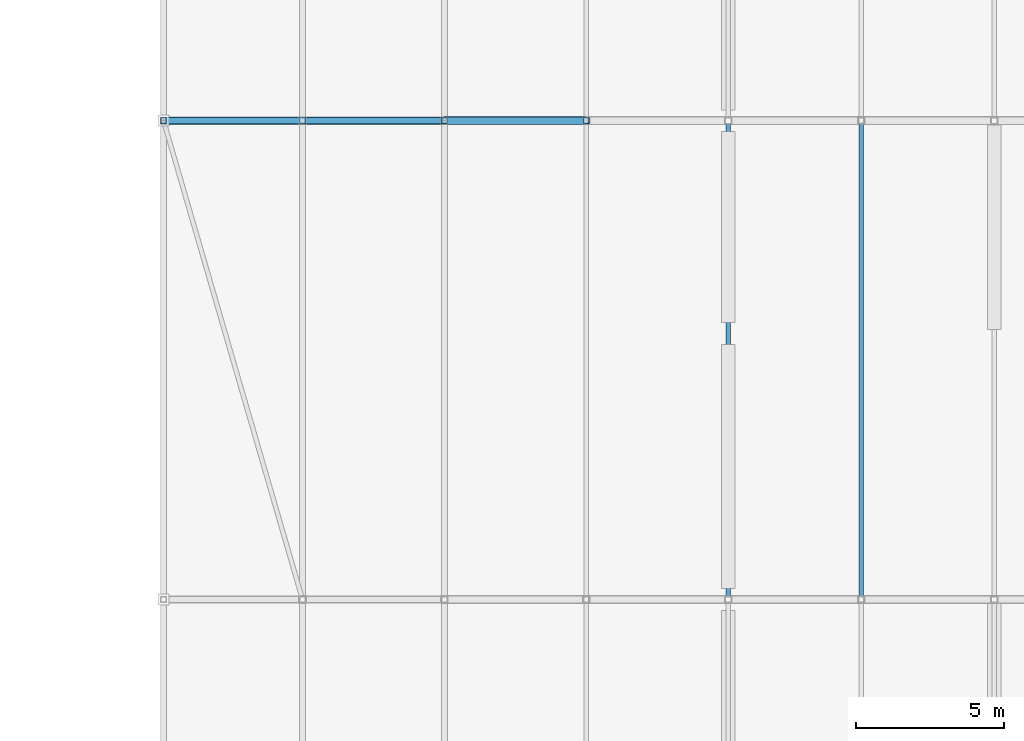
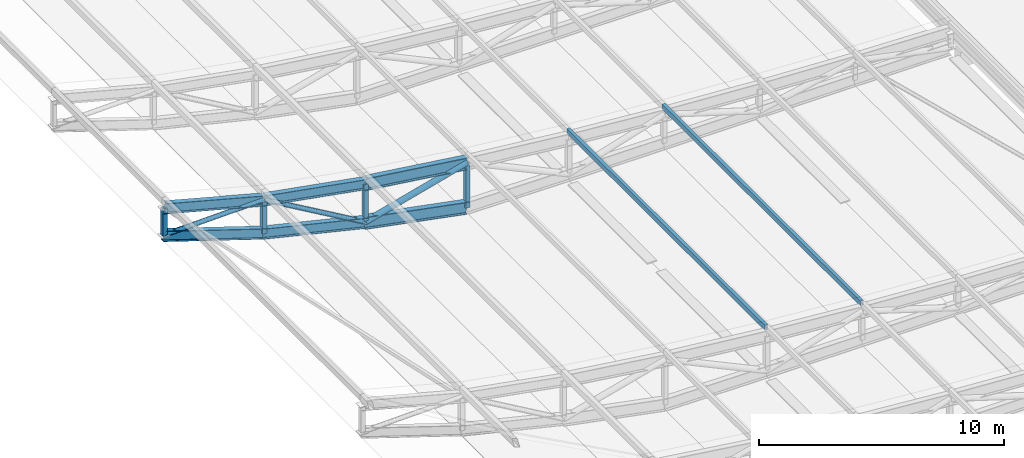
# One storey, part 54 of 114: 9 members, 6 beams.
"""IFC4 building model written with IfcOpenShell, lengths in metres."""

from ifc_helpers import new_model, si_unit, direction, frame, origin, origin_2d, place, context, subcontext, project, spatial, hollow_rectangle, hollow_circle, i_section, extrude, material, material_profile, profile_set, type_object, element, save


model = new_model("IFC4")

# Units and contexts
model_context = context("Model", 3, precision=1e-05, world=origin(), true_north=direction((0.0, 1.0)))
body_context = subcontext(model_context, "Body", "Model", "MODEL_VIEW")
ifc_project = project(units=[si_unit("LENGTHUNIT", "METRE"), si_unit("AREAUNIT", "SQUARE_METRE"), si_unit("VOLUMEUNIT", "CUBIC_METRE"), si_unit("PLANEANGLEUNIT", "RADIAN"), si_unit("MASSUNIT", "GRAM", prefix="KILO"), si_unit("THERMODYNAMICTEMPERATUREUNIT", "KELVIN"), si_unit("POWERUNIT", "WATT")], contexts=[model_context])

# Site, building, storey
site_placement = place(None, origin())
site = spatial("IfcSite", under=ifc_project, at=site_placement, CompositionType="ELEMENT")
building_placement = place(site_placement, origin())
building = spatial("IfcBuilding", under=site, at=building_placement, Name="Sindhuravela Promenade Stadium", CompositionType="ELEMENT")
storey_placement = place(building_placement, frame((0.0, 0.0, 24.0)))
storey = spatial("IfcBuildingStorey", under=building, at=storey_placement, Name="L05", CompositionType="ELEMENT", Elevation=24.0)

# Beams
ifc_material = material(Name="Steel E350 (IS 2062 E350BR)", Category="steel")
ifc_material_profile_1 = material_profile(ifc_material, i_section(OverallWidth=0.25, OverallDepth=0.5, WebThickness=0.010009765625, FlangeThickness=0.0146484375, FilletRadius=0.014892578125, at=origin_2d()), Name="ISWB 500")
ifc_profile_set_1 = profile_set([ifc_material_profile_1], Name="Steel E350 (IS 2062 E350BR)")
beam_type_1 = type_object("IfcBeamType", Name="ST-BM-WB500", PredefinedType="USERDEFINED", material=ifc_profile_set_1)
beam_1_placement = place(storey_placement, frame((170.39990234375, 84.60009765625, 2.889892578125), z_axis=(-0.9842948598662152, 0.0, 0.17653223173388988), x_axis=(0.0, -1.0, 0.0)))
element("IfcBeam", 1, at=beam_1_placement, inside=storey, type_object=beam_type_1, Name="Roof truss RT-E05 top chord 7", ObjectType="ROOF TRUSS", PredefinedType="USERDEFINED", context=body_context, shape_type="SweptSolid", body=[
    extrude(i_section(OverallWidth=0.25, OverallDepth=0.5, WebThickness=0.010009765625, FlangeThickness=0.0146484375, FilletRadius=0.014892578125, at=origin_2d()), origin(), (0.0, 0.0, 1.0), 4.87646484375),
])
beam_2_placement = place(storey_placement, frame((170.39990234375, 84.60009765625, 0.955322265625), z_axis=(-0.9727610703429832, 0.0, 0.23181005160513105), x_axis=(0.0, -1.0, 0.0)))
element("IfcBeam", 2, at=beam_2_placement, inside=storey, type_object=beam_type_1, Name="Roof truss RT-E05 bottom chord 7", ObjectType="ROOF TRUSS", PredefinedType="USERDEFINED", context=body_context, shape_type="SweptSolid", body=[
    extrude(i_section(OverallWidth=0.25, OverallDepth=0.5, WebThickness=0.010009765625, FlangeThickness=0.0146484375, FilletRadius=0.014892578125, at=origin_2d()), origin(), (0.0, 0.0, 1.0), 4.934326171875),
])
beam_3_placement = place(storey_placement, frame((165.60009765625, 84.60009765625, 3.750732421875), z_axis=(-0.9664454134987205, 0.0, 0.2568720746349965), x_axis=(0.0, -1.0, 0.0)))
element("IfcBeam", 3, at=beam_3_placement, inside=storey, type_object=beam_type_1, Name="Roof truss RT-E05 top chord 8", ObjectType="ROOF TRUSS", PredefinedType="USERDEFINED", context=body_context, shape_type="SweptSolid", body=[
    extrude(i_section(OverallWidth=0.25, OverallDepth=0.5, WebThickness=0.010009765625, FlangeThickness=0.0146484375, FilletRadius=0.014892578125, at=origin_2d()), origin(), (0.0, 0.0, 1.0), 4.86328125),
])
beam_4_placement = place(storey_placement, frame((165.60009765625, 84.60009765625, 2.09912109375), z_axis=(-0.951134224020653, 0.0, 0.3087777321903741), x_axis=(0.0, -1.0, 0.0)))
element("IfcBeam", 4, at=beam_4_placement, inside=storey, type_object=beam_type_1, Name="Roof truss RT-E05 bottom chord 8", ObjectType="ROOF TRUSS", PredefinedType="USERDEFINED", context=body_context, shape_type="SweptSolid", body=[
    extrude(i_section(OverallWidth=0.25, OverallDepth=0.5, WebThickness=0.010009765625, FlangeThickness=0.0146484375, FilletRadius=0.014892578125, at=origin_2d()), origin(), (0.0, 0.0, 1.0), 4.941650390625),
])
ifc_material_profile_2 = material_profile(ifc_material, i_section(OverallWidth=0.25, OverallDepth=0.60009765625, WebThickness=0.01171875, FlangeThickness=0.023681640625, FilletRadius=0.01708984375, at=origin_2d()), Name="ISWB 600")
ifc_profile_set_2 = profile_set([ifc_material_profile_2], Name="Steel E350 (IS 2062 E350BR)")
beam_type_2 = type_object("IfcBeamType", Name="ST-BM-WB600", PredefinedType="USERDEFINED", material=ifc_profile_set_2)
beam_5_placement = place(storey_placement, frame((175.199951171875, 84.60009765625, 2.24951171875), z_axis=(-0.9912177706556925, 0.0, 0.1322396730802035), x_axis=(0.0, -1.0, 0.0)))
element("IfcBeam", 5, at=beam_5_placement, inside=storey, type_object=beam_type_2, Name="Roof truss RT-E05 top chord 6", ObjectType="ROOF TRUSS", PredefinedType="USERDEFINED", context=body_context, shape_type="SweptSolid", body=[
    extrude(i_section(OverallWidth=0.25, OverallDepth=0.60009765625, WebThickness=0.01171875, FlangeThickness=0.023681640625, FilletRadius=0.01708984375, at=origin_2d()), origin(), (0.0, 0.0, 1.0), 4.842529296875),
])
beam_6_placement = place(storey_placement, frame((175.199951171875, 84.60009765625, 0.031982421875), z_axis=(-0.9819968269215247, 0.0, 0.18889741108881575), x_axis=(0.0, -1.0, 0.0)))
element("IfcBeam", 6, at=beam_6_placement, inside=storey, type_object=beam_type_2, Name="Roof truss RT-E05 bottom chord 6", ObjectType="ROOF TRUSS", PredefinedType="USERDEFINED", context=body_context, shape_type="SweptSolid", body=[
    extrude(i_section(OverallWidth=0.25, OverallDepth=0.60009765625, WebThickness=0.01171875, FlangeThickness=0.023681640625, FilletRadius=0.01708984375, at=origin_2d()), origin(), (0.0, 0.0, 1.0), 4.887939453125),
])

# Members
ifc_material_profile_3 = material_profile(ifc_material, hollow_circle(Radius=0.109619140625, WallThickness=0.010009765625, at=origin_2d()), Name="CHS 219.1x10")
ifc_profile_set_3 = profile_set([ifc_material_profile_3], Name="Steel E350 (IS 2062 E350BR)")
member_type_1 = type_object("IfcMemberType", Name="ST-MB-CHS219", PredefinedType="BRACE", material=ifc_profile_set_3)
member_1_placement = place(storey_placement, frame((170.39990234375, 84.60009765625, 0.955322265625), z_axis=(-0.8641294101630913, 0.0, 0.5032696717379143), x_axis=(0.0, -1.0, 0.0)))
element("IfcMember", 7, at=member_1_placement, inside=storey, type_object=member_type_1, Name="Roof truss RT-E05 diagonal web 7", PredefinedType="BRACE", context=body_context, shape_type="SweptSolid", body=[
    extrude(hollow_circle(Radius=0.109619140625, WallThickness=0.010009765625, at=origin_2d()), origin(), (0.0, 0.0, 1.0), 5.554443359375),
])
member_2_placement = place(storey_placement, frame((165.60009765625, 84.60009765625, 3.750732421875), z_axis=(-0.9996423981548164, 0.0, -0.02674090146736601), x_axis=(0.0, -1.0, 0.0)))
element("IfcMember", 8, at=member_2_placement, inside=storey, type_object=member_type_1, Name="Roof truss RT-E05 diagonal web 8", PredefinedType="BRACE", context=body_context, shape_type="SweptSolid", body=[
    extrude(hollow_circle(Radius=0.109619140625, WallThickness=0.010009765625, at=origin_2d()), origin(), (0.0, 0.0, 1.0), 4.701904296875),
])
ifc_material_profile_4 = material_profile(ifc_material, hollow_circle(Radius=0.136474609375, WallThickness=0.010009765625, at=origin_2d()), Name="CHS 273.0x10")
ifc_profile_set_4 = profile_set([ifc_material_profile_4], Name="Steel E350 (IS 2062 E350BR)")
member_type_2 = type_object("IfcMemberType", Name="ST-MB-CHS273", PredefinedType="BRACE", material=ifc_profile_set_4)
member_3_placement = place(storey_placement, frame((175.199951171875, 84.60009765625, 2.24951171875), z_axis=(-0.9655213389510635, 0.0, -0.26032392135596294), x_axis=(0.0, -1.0, 0.0)))
element("IfcMember", 9, at=member_3_placement, inside=storey, type_object=member_type_2, Name="Roof truss RT-E05 diagonal web 6", PredefinedType="BRACE", context=body_context, shape_type="SweptSolid", body=[
    extrude(hollow_circle(Radius=0.136474609375, WallThickness=0.010009765625, at=origin_2d()), origin(), (0.0, 0.0, 1.0), 4.971435546875),
])
ifc_material_profile_5 = material_profile(ifc_material, hollow_rectangle(XDim=0.14990234375, YDim=0.25, WallThickness=0.010009765625, at=origin_2d()), Name="RHS 250x150x10")
ifc_profile_set_5 = profile_set([ifc_material_profile_5], Name="Steel E350 (IS 2062 E350BR)")
member_type_3 = type_object("IfcMemberType", Name="ST-MB-RHS250", PredefinedType="PURLIN", material=ifc_profile_set_5)
for number, where, z_axis, x_axis, name in (
    (10, (184.5, 68.39990234375, 1.79345703125), (0.0, 1.0, 0.0), (-1.0, 0.0, 0.0), "Roof purlin PR01 E bay 4.4"),
    (11, (180.0, 68.39990234375, 2.14990234375), (0.0, 1.0, 0.0), (-1.0, 0.0, 0.0), "Roof purlin PR01 E bay 4.5"),
):
    element("IfcMember", number, at=place(storey_placement, frame(where, z_axis=z_axis, x_axis=x_axis)), inside=storey, type_object=member_type_3, Name=name, PredefinedType="PURLIN", context=body_context, shape_type="SweptSolid", body=[
        extrude(hollow_rectangle(XDim=0.14990234375, YDim=0.25, WallThickness=0.010009765625, at=origin_2d()), origin(), (0.0, 0.0, 1.0), 16.2001953125),
    ])
ifc_material_profile_6 = material_profile(ifc_material, hollow_rectangle(XDim=0.199951171875, YDim=0.199951171875, WallThickness=0.010009765625, at=origin_2d()), Name="SHS 200x200x10")
ifc_profile_set_6 = profile_set([ifc_material_profile_6], Name="Steel E350 (IS 2062 E350BR)")
member_type_4 = type_object("IfcMemberType", Name="ST-MB-SHS200", PredefinedType="POST", material=ifc_profile_set_6)
member_4_placement = place(storey_placement, frame((175.199951171875, 84.60009765625, 0.031982421875), z_axis=(0.0, 0.0, 1.0), x_axis=(1.0, 0.0, 0.0)))
element("IfcMember", 12, at=member_4_placement, inside=storey, type_object=member_type_4, Name="Roof truss RT-E05 vertical post 6", PredefinedType="POST", context=body_context, shape_type="SweptSolid", body=[
    extrude(hollow_rectangle(XDim=0.199951171875, YDim=0.199951171875, WallThickness=0.010009765625, at=origin_2d()), origin(), (0.0, 0.0, 1.0), 2.217529296875),
])
member_5_placement = place(storey_placement, frame((170.39990234375, 84.60009765625, 0.955322265625), z_axis=(0.0, 0.0, 1.0), x_axis=(1.0, 0.0, 0.0)))
element("IfcMember", 13, at=member_5_placement, inside=storey, type_object=member_type_4, Name="Roof truss RT-E05 vertical post 7", PredefinedType="POST", context=body_context, shape_type="SweptSolid", body=[
    extrude(hollow_rectangle(XDim=0.199951171875, YDim=0.199951171875, WallThickness=0.010009765625, at=origin_2d()), origin(), (0.0, 0.0, 1.0), 1.9345703125),
])
member_6_placement = place(storey_placement, frame((165.60009765625, 84.60009765625, 2.09912109375), z_axis=(0.0, 0.0, 1.0), x_axis=(1.0, 0.0, 0.0)))
element("IfcMember", 14, at=member_6_placement, inside=storey, type_object=member_type_4, Name="Roof truss RT-E05 vertical post 8", PredefinedType="POST", context=body_context, shape_type="SweptSolid", body=[
    extrude(hollow_rectangle(XDim=0.199951171875, YDim=0.199951171875, WallThickness=0.010009765625, at=origin_2d()), origin(), (0.0, 0.0, 1.0), 1.651611328125),
])
member_7_placement = place(storey_placement, frame((160.89990234375, 84.60009765625, 3.625), z_axis=(0.0, 0.0, 1.0), x_axis=(1.0, 0.0, 0.0)))
element("IfcMember", 15, at=member_7_placement, inside=storey, type_object=member_type_4, Name="Roof truss RT-E05 vertical post 9", PredefinedType="POST", context=body_context, shape_type="SweptSolid", body=[
    extrude(hollow_rectangle(XDim=0.199951171875, YDim=0.199951171875, WallThickness=0.010009765625, at=origin_2d()), origin(), (0.0, 0.0, 1.0), 1.375),
])

save(model, "model.ifc")
